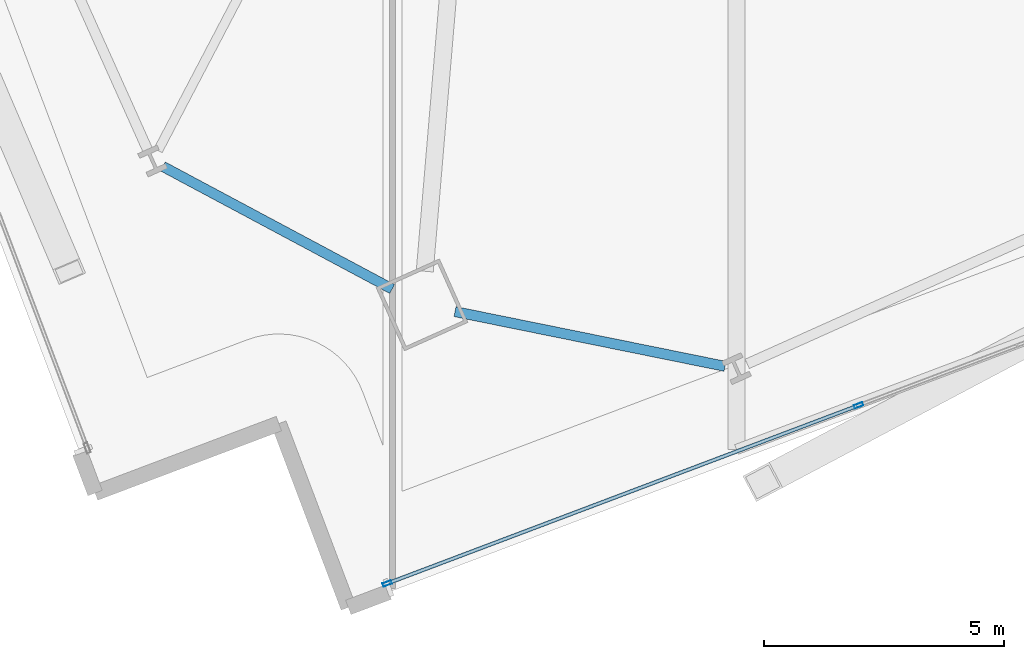
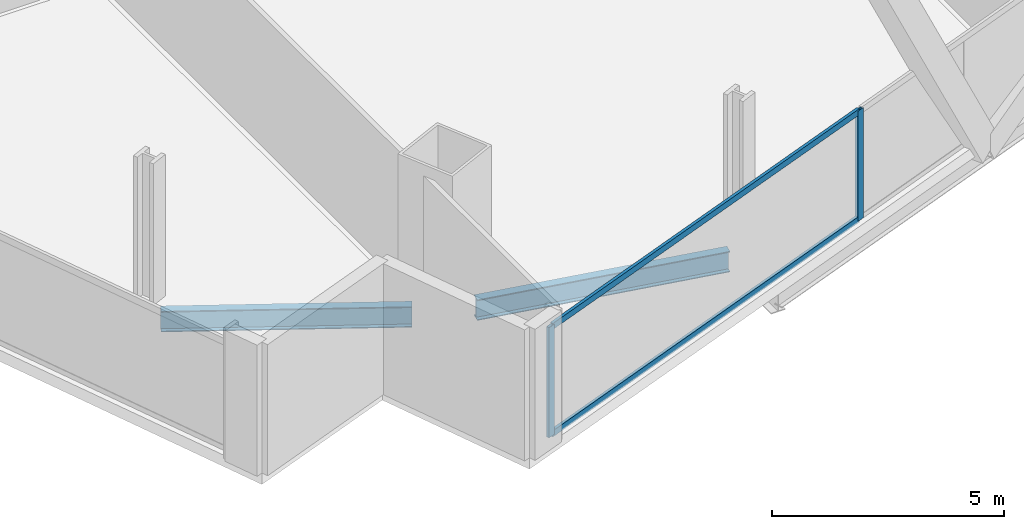
# One storey, part 3 of 37: 4 members, 2 beams, 1 element without a shape of its own.
"""IFC4 building model written with IfcOpenShell, lengths in metres."""

from ifc_helpers import new_model, si_unit, direction, frame, origin, origin_2d, place, context, subcontext, project, spatial, hollow_rectangle, i_section, extrude, material, material_profile, profile_set, type_object, element, aggregate, save


model = new_model("IFC4")

# Units and contexts
model_context = context("Model", 3, precision=1e-05, world=origin(), true_north=direction((0.0, 1.0)))
body_context = subcontext(model_context, "Body", "Model", "MODEL_VIEW")
ifc_project = project(units=[si_unit("LENGTHUNIT", "METRE"), si_unit("AREAUNIT", "SQUARE_METRE"), si_unit("VOLUMEUNIT", "CUBIC_METRE"), si_unit("PLANEANGLEUNIT", "RADIAN"), si_unit("MASSUNIT", "GRAM", prefix="KILO")], contexts=[model_context])

# Site, building, storey
site_placement = place(None, origin())
site = spatial("IfcSite", under=ifc_project, at=site_placement, CompositionType="ELEMENT")
building_placement = place(site_placement, origin())
building = spatial("IfcBuilding", under=site, at=building_placement, Name="Haldenkirk Collegiate Tower", CompositionType="ELEMENT")
storey_placement = place(building_placement, frame((0.0, 0.0, 97.949951171875)))
storey = spatial("IfcBuildingStorey", under=building, at=storey_placement, Name="L23", CompositionType="ELEMENT", Elevation=97.949951171875)

# Beams
ifc_material_1 = material(Name="Steel ASTM A992 Grade 50", Category="steel")
ifc_material_profile_1 = material_profile(ifc_material_1, i_section(OverallWidth=0.2119140625, OverallDepth=0.5439453125, WebThickness=0.01318359375, FlangeThickness=0.021240234375, at=origin_2d()), Name="W21X83")
ifc_profile_set_1 = profile_set([ifc_material_profile_1], Name="Steel ASTM A992 Grade 50")
beam_type = type_object("IfcBeamType", Name="BM-SPANDREL-W21X83", PredefinedType="SPANDREL", material=ifc_profile_set_1)
beam_1_placement = place(storey_placement, frame((26.3076171875, 1.477783203125, -0.572021484375), z_axis=(0.980077587146, -0.19861501246, 0.0), x_axis=(0.19861501246, 0.980077587146, 0.0)))
element("IfcBeam", 1, at=beam_1_placement, inside=storey, type_object=beam_type, Name="L23 perimeter spandrel beam 01", PredefinedType="SPANDREL", context=body_context, shape_type="SweptSolid", body=[
    extrude(i_section(OverallWidth=0.2119140625, OverallDepth=0.5439453125, WebThickness=0.01318359375, FlangeThickness=0.021240234375, at=origin_2d()), origin(), (0.0, 0.0, 1.0), 5.747802734375),
])
beam_2_placement = place(storey_placement, frame((20.21240234375, 4.505615234375, -0.572021484375), z_axis=(0.881987493029, -0.471272810737, 0.0), x_axis=(0.471272810737, 0.881987493029, 0.0)))
element("IfcBeam", 2, at=beam_2_placement, inside=storey, type_object=beam_type, Name="L23 perimeter spandrel beam 16", PredefinedType="SPANDREL", context=body_context, shape_type="SweptSolid", body=[
    extrude(i_section(OverallWidth=0.2119140625, OverallDepth=0.5439453125, WebThickness=0.01318359375, FlangeThickness=0.021240234375, at=origin_2d()), origin(), (0.0, 0.0, 1.0), 5.42236328125),
])

# Curtain wall, members
ifc_material_2 = material(Name="Anodised architectural bronze aluminium", Category="aluminium")
curtain_wall_type = type_object("IfcCurtainWallType", Name="CW-SYS2-CONCAVE", PredefinedType="USERDEFINED", material=ifc_material_2)
curtain_wall_placement = place(storey_placement, origin())
curtain_wall = element("IfcCurtainWall", 3, at=curtain_wall_placement, inside=storey, type_object=curtain_wall_type, Name="L23 South concave recessed bronze-anodised curtain wall", ObjectType="UNITISED CURTAIN WALL", PredefinedType="USERDEFINED")
ifc_material_profile_2 = material_profile(ifc_material_2, hollow_rectangle(XDim=0.074951171875, YDim=0.18994140625, WallThickness=0.0048828125, at=origin_2d()), Name="CW-MUL-02")
ifc_profile_set_2 = profile_set([ifc_material_profile_2], Name="Anodised architectural bronze aluminium")
member_type_1 = type_object("IfcMemberType", Name="CW-MUL-02", PredefinedType="MULLION", material=ifc_profile_set_2)
member_1_placement = place(storey_placement, frame((34.7275390625, -0.47900390625, 0.0), z_axis=(0.0, 0.0, 1.0), x_axis=(0.353476419489, -0.935443435417, 0.0)))
member_1 = element("IfcMember", 4, at=member_1_placement, type_object=member_type_1, Name="CW-02 mullion 4", PredefinedType="MULLION", context=body_context, shape_type="SweptSolid", body=[
    extrude(hollow_rectangle(XDim=0.074951171875, YDim=0.18994140625, WallThickness=0.0048828125, at=origin_2d()), origin(), (0.0, 0.0, 1.0), 2.901123046875),
])
member_2_placement = place(storey_placement, frame((24.893798828125, -4.195068359375, 0.0), z_axis=(0.0, 0.0, 1.0), x_axis=(0.353476419489, -0.935443435417, 0.0)))
member_2 = element("IfcMember", 5, at=member_2_placement, type_object=member_type_1, Name="CW-02 mullion 5", PredefinedType="MULLION", context=body_context, shape_type="SweptSolid", body=[
    extrude(hollow_rectangle(XDim=0.074951171875, YDim=0.18994140625, WallThickness=0.0048828125, at=origin_2d()), origin(), (0.0, 0.0, 1.0), 2.901123046875),
])
ifc_material_profile_3 = material_profile(ifc_material_2, hollow_rectangle(XDim=0.074951171875, YDim=0.159912109375, WallThickness=0.0048828125, at=origin_2d()), Name="CW-TRN-02")
ifc_profile_set_3 = profile_set([ifc_material_profile_3], Name="Anodised architectural bronze aluminium")
member_type_2 = type_object("IfcMemberType", Name="CW-TRN-02", PredefinedType="USERDEFINED", material=ifc_profile_set_3)
member_3_placement = place(storey_placement, frame((34.692626953125, -0.492431640625, 0.03759765625), z_axis=(-0.935441846055, -0.353480625565, 0.0), x_axis=(0.353480625565, -0.935441846055, 0.0)))
member_3 = element("IfcMember", 6, at=member_3_placement, type_object=member_type_2, Name="CW-02 transom 4.1", ObjectType="TRANSOM", PredefinedType="USERDEFINED", context=body_context, shape_type="SweptSolid", body=[
    extrude(hollow_rectangle(XDim=0.074951171875, YDim=0.159912109375, WallThickness=0.0048828125, at=origin_2d()), origin(), (0.0, 0.0, 1.0), 10.4375),
])
member_4_placement = place(storey_placement, frame((34.692626953125, -0.492431640625, 2.863525390625), z_axis=(-0.935441846055, -0.353480625565, 0.0), x_axis=(0.353480625565, -0.935441846055, 0.0)))
member_4 = element("IfcMember", 7, at=member_4_placement, type_object=member_type_2, Name="CW-02 transom 4.2", ObjectType="TRANSOM", PredefinedType="USERDEFINED", context=body_context, shape_type="SweptSolid", body=[
    extrude(hollow_rectangle(XDim=0.074951171875, YDim=0.159912109375, WallThickness=0.0048828125, at=origin_2d()), origin(), (0.0, 0.0, 1.0), 10.4375),
])
aggregate(curtain_wall, [member_1, member_2, member_3, member_4])

save(model, "model.ifc")
